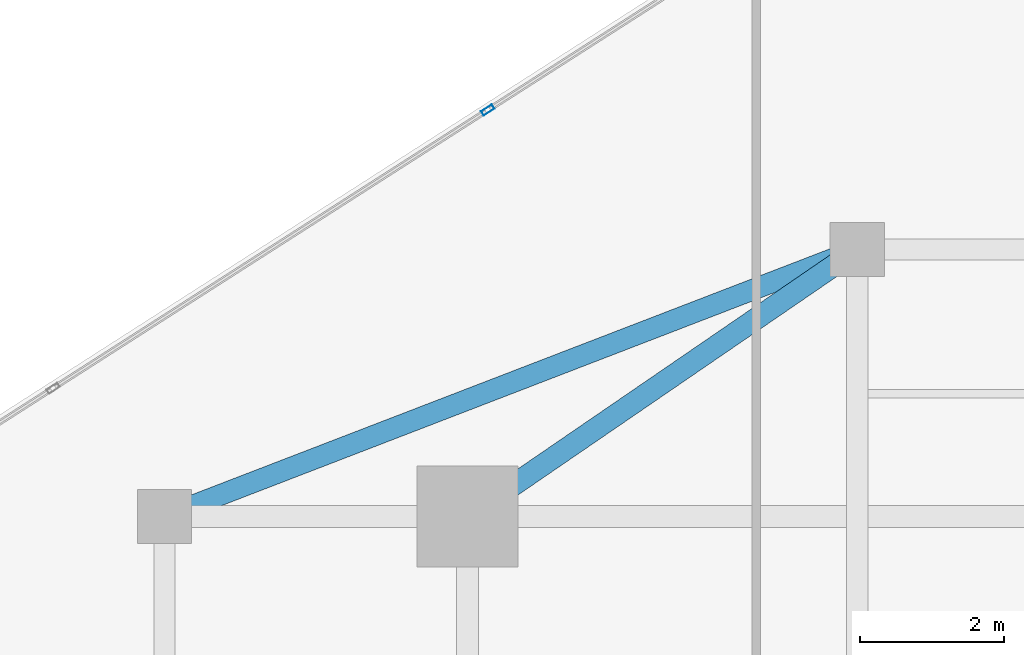
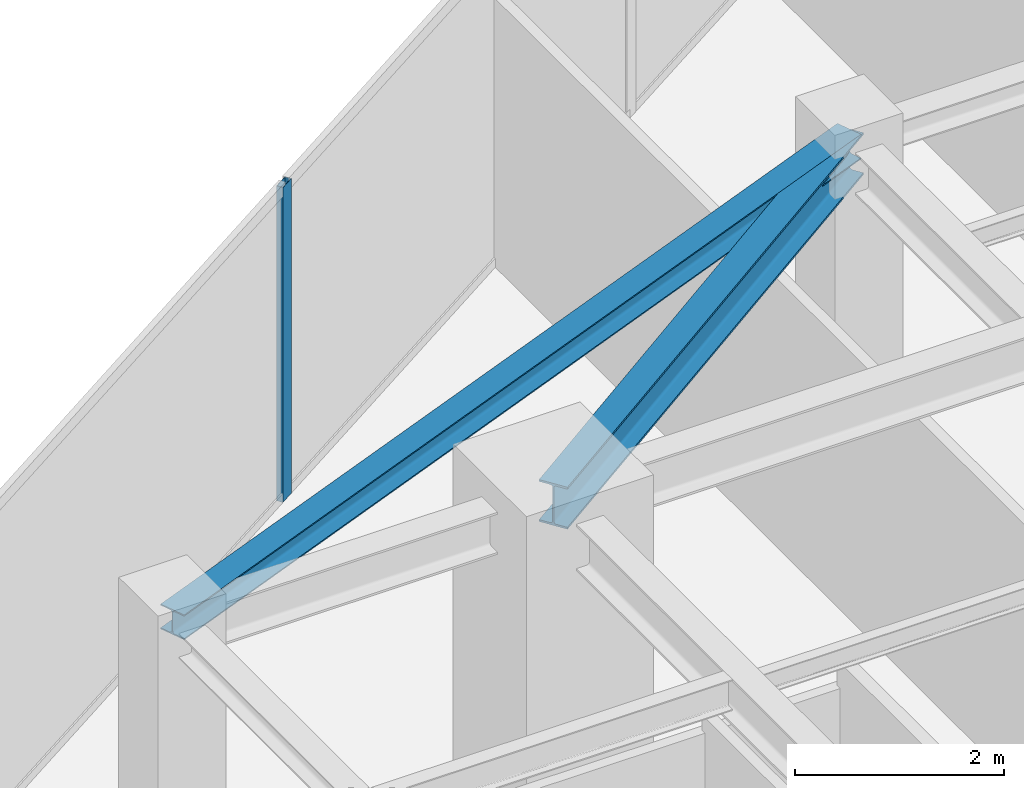
# One storey, part 12 of 20: 2 beams, 1 member, 1 element without a shape of its own.
"""IFC4 building model written with IfcOpenShell, lengths in metres."""

from ifc_helpers import new_model, si_unit, direction, frame, origin, origin_2d, place, context, subcontext, project, spatial, hollow_rectangle, i_section, extrude, source, transform, mapped, material, material_profile, profile_set, type_object, type_shapes, element, aggregate, save


model = new_model("IFC4")

# Units and contexts
model_context = context("Model", 3, precision=1e-05, world=origin(), true_north=direction((0.0, 1.0)))
body_context = subcontext(model_context, "Body", "Model", "MODEL_VIEW")
ifc_project = project(units=[si_unit("LENGTHUNIT", "METRE"), si_unit("AREAUNIT", "SQUARE_METRE"), si_unit("VOLUMEUNIT", "CUBIC_METRE"), si_unit("PLANEANGLEUNIT", "RADIAN"), si_unit("MASSUNIT", "GRAM", prefix="KILO")], contexts=[model_context])

# Site, building, storey
site_placement = place(None, origin())
site = spatial("IfcSite", under=ifc_project, at=site_placement, CompositionType="ELEMENT")
building_placement = place(site_placement, origin())
building = spatial("IfcBuilding", under=site, at=building_placement, Name="Krantzveldt Concourse Tower", CompositionType="ELEMENT")
storey_placement = place(building_placement, frame((0.0, 0.0, 291.10009765625)))
storey = spatial("IfcBuildingStorey", under=building, at=storey_placement, Name="L71", CompositionType="ELEMENT", Elevation=291.10009765625)

# Beams
ifc_material_1 = material(Name="Steel S355JR", Category="steel")
ifc_material_profile_1 = material_profile(ifc_material_1, i_section(OverallWidth=0.300048828125, OverallDepth=0.489990234375, WebThickness=0.011962890625, FlangeThickness=0.02294921875, FilletRadius=0.027099609375, at=origin_2d()), Name="Steel S355JR", Category="steel")
ifc_profile_set_1 = profile_set([ifc_material_profile_1], Name="Steel S355JR - HEA 500")
beam_type_1 = type_object("IfcBeamType", Name="BM-B-HEA500", PredefinedType="BEAM", material=ifc_profile_set_1)
shared_shape_1 = source(origin(), body_context, "Body", "SweptSolid", [
    extrude(i_section(OverallWidth=0.300048828125, OverallDepth=0.489990234375, WebThickness=0.011962890625, FlangeThickness=0.02294921875, FilletRadius=0.027099609375, at=origin_2d()), origin(), (0.0, 0.0, 1.0), 6.546142578125),
])
type_shapes(beam_type_1, [shared_shape_1])
beam_1_placement = place(storey_placement, frame((25.199951171875, 37.5, 3.4248046875), z_axis=(0.824942999484, 0.565215930068, 0.0), x_axis=(-0.565215930068, 0.824942999484, 0.0)))
element("IfcBeam", 1, at=beam_1_placement, inside=storey, type_object=beam_type_1, Name="L71 Tower Girder BR-RL4", PredefinedType="BEAM", context=body_context, shape_type="MappedRepresentation", body=[
    mapped(shared_shape_1, transform((0.0, 0.0, 0.0), x_axis=(1.0, 0.0, 0.0), y_axis=(0.0, 1.0, 0.0), z_axis=(0.0, 0.0, 1.0), scale=1.0)),
])
ifc_material_profile_2 = material_profile(ifc_material_1, i_section(OverallWidth=0.2900390625, OverallDepth=0.2900390625, WebThickness=0.008544921875, FlangeThickness=0.013916015625, FilletRadius=0.027099609375, at=origin_2d()), Name="Steel S355JR", Category="steel")
ifc_profile_set_2 = profile_set([ifc_material_profile_2], Name="Steel S355JR - HEA 300")
beam_type_2 = type_object("IfcBeamType", Name="BM-SP-HEA300", PredefinedType="SPANDREL", material=ifc_profile_set_2)
shared_shape_2 = source(origin(), body_context, "Body", "SweptSolid", [
    extrude(i_section(OverallWidth=0.2900390625, OverallDepth=0.2900390625, WebThickness=0.008544921875, FlangeThickness=0.013916015625, FilletRadius=0.027099609375, at=origin_2d()), origin(), (0.0, 0.0, 1.0), 10.288330078125),
])
type_shapes(beam_type_2, [shared_shape_2])
beam_2_placement = place(storey_placement, frame((21.0, 37.5, 3.52490234375), z_axis=(0.933097690408, 0.359622997257, 0.0), x_axis=(-0.359622997257, 0.933097690408, 0.0)))
element("IfcBeam", 2, at=beam_2_placement, inside=storey, type_object=beam_type_2, Name="L71 Tower Girder SP-R03", PredefinedType="SPANDREL", context=body_context, shape_type="MappedRepresentation", body=[
    mapped(shared_shape_2, transform((0.0, 0.0, 0.0), x_axis=(1.0, 0.0, 0.0), y_axis=(0.0, 1.0, 0.0), z_axis=(0.0, 0.0, 1.0), scale=1.0)),
])

# Curtain wall, member
ifc_material_2 = material(Name="Anodised aluminium 6063-T6", Category="aluminium")
curtain_wall_type = type_object("IfcCurtainWallType", Name="CW4", PredefinedType="USERDEFINED", material=ifc_material_2)
curtain_wall_placement = place(storey_placement, origin())
curtain_wall = element("IfcCurtainWall", 3, at=curtain_wall_placement, inside=storey, type_object=curtain_wall_type, Name="CW-L71-F01", ObjectType="UNITISED CURTAIN WALL", PredefinedType="USERDEFINED")
ifc_material_profile_3 = material_profile(ifc_material_2, hollow_rectangle(XDim=0.070068359375, YDim=0.179931640625, WallThickness=0.0048828125, at=origin_2d()), Name="Anodised aluminium 6063-T6", Category="aluminium")
ifc_profile_set_3 = profile_set([ifc_material_profile_3], Name="Anodised aluminium 6063-T6 - ALU-MULL 180x70x5")
member_type = type_object("IfcMemberType", Name="CW-MUL-180", PredefinedType="MULLION", material=ifc_profile_set_3)
shared_shape_3 = source(origin(), body_context, "Body", "SweptSolid", [
    extrude(hollow_rectangle(XDim=0.070068359375, YDim=0.179931640625, WallThickness=0.0048828125, at=origin_2d()), origin(), (0.0, 0.0, 1.0), 3.669921875),
])
type_shapes(member_type, [shared_shape_3])
member_placement = place(storey_placement, frame((25.4814453125, 43.131591796875, 0.0), z_axis=(0.0, 0.0, 1.0), x_axis=(0.53913830827, -0.842217243088, 0.0)))
member = element("IfcMember", 4, at=member_placement, type_object=member_type, Name="CW-Z56 mullion 3", PredefinedType="MULLION", context=body_context, shape_type="MappedRepresentation", body=[
    mapped(shared_shape_3, transform((0.0, 0.0, 0.0), x_axis=(1.0, 0.0, 0.0), y_axis=(0.0, 1.0, 0.0), z_axis=(0.0, 0.0, 1.0), scale=1.0)),
])
aggregate(curtain_wall, [member])

save(model, "model.ifc")
